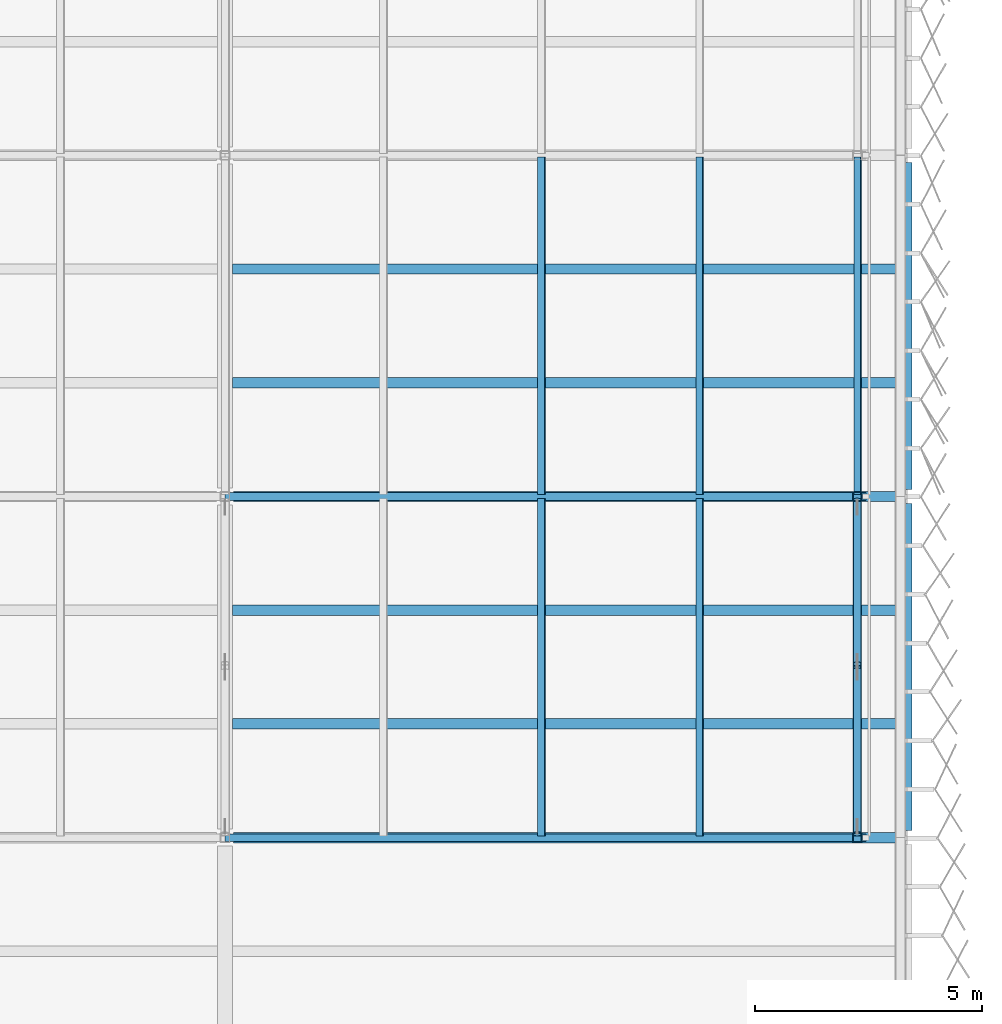
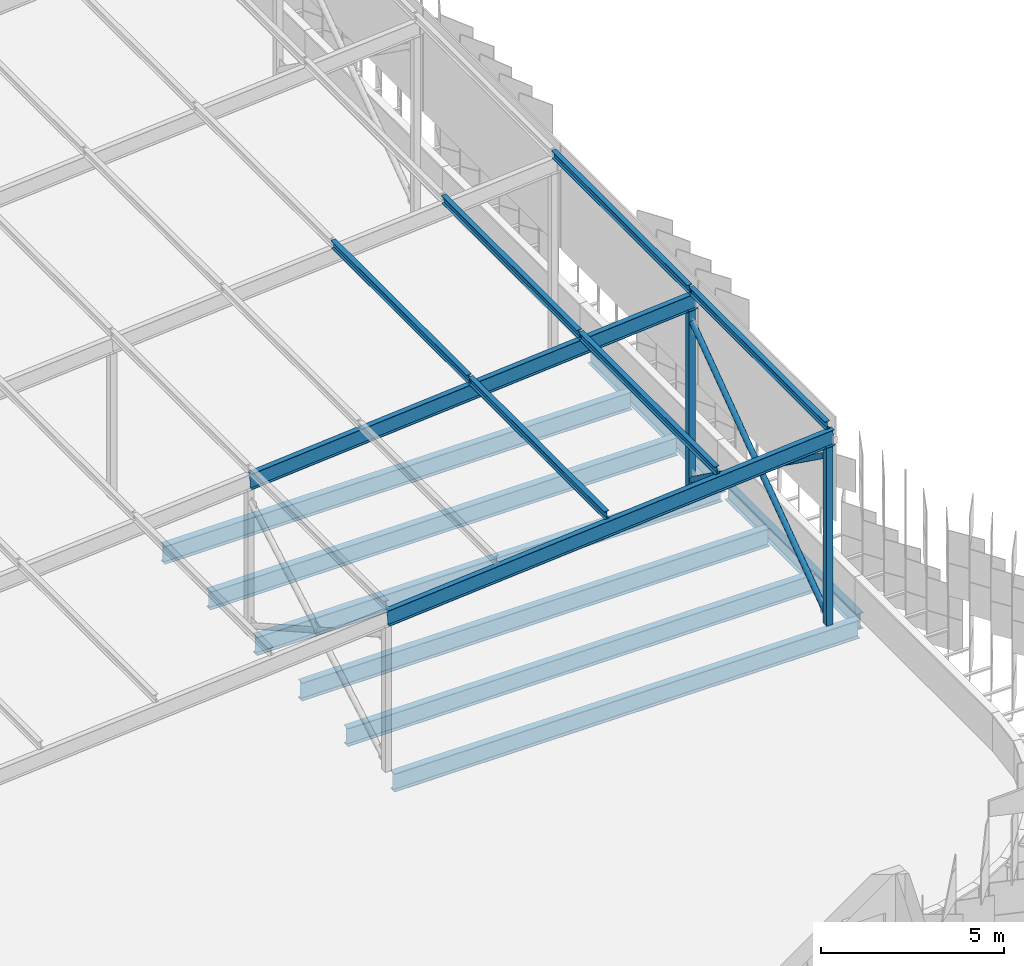
# One storey, part 74 of 483: 13 members, 8 beams.
"""IFC4 building model written with IfcOpenShell, lengths in metres."""

import ifcopenshell
import ifcopenshell.guid

model = None  # the IFC model being written
_history = None  # IfcOwnerHistory: only IFC2X3 demands one
_inside = {}  # id of a spatial element -> (the spatial element, [elements in it])
_under = {}  # id of a project, library or spatial element -> (it, [spatial elements below it])
_declared = {}  # id of a project -> (the project, [libraries it declares])
_typed = {}  # id of a type object -> (the type object, [elements of that type])
_made_of = {}  # id of a material, layer set ... -> (it, [elements and type objects made of it])


def new_model(schema):
    """Start an empty IFC model of exactly this schema.

    Asked for "IFC4X3", IfcOpenShell would pick the latest addendum, in which some entities
    have other attributes; the version numbers below select the first issue.
    IFC2X3 requires an IfcOwnerHistory on every rooted entity: one is made here for all.
    """
    global model, _history
    if schema == "IFC4X3":
        model = ifcopenshell.file(schema_version=(4, 3, 0, 0))
    else:
        model = ifcopenshell.file(schema=schema)
    _inside.clear()
    _under.clear()
    _declared.clear()
    _typed.clear()
    _made_of.clear()
    _history = None
    if model.schema == "IFC2X3":
        org = make("IfcOrganization", Name="unknown")
        user = make(
            "IfcPersonAndOrganization",
            ThePerson=make("IfcPerson", FamilyName="unknown"),
            TheOrganization=org,
        )
        app = make(
            "IfcApplication",
            ApplicationDeveloper=org,
            Version="unknown",
            ApplicationFullName="unknown",
            ApplicationIdentifier="unknown",
        )
        _history = make(
            "IfcOwnerHistory",
            OwningUser=user,
            OwningApplication=app,
            ChangeAction="ADDED",
            CreationDate=0,
        )
    return model


def make(cls, **values):
    """One entity of the class cls with the attributes given. An attribute that is None is left unset."""
    return model.create_entity(
        cls, **{name: value for name, value in values.items() if value is not None}
    )


def rooted(cls, **values):
    """An entity with a GlobalId (a new one), such as an element, a storey or a relation."""
    return make(cls, GlobalId=ifcopenshell.guid.new(), OwnerHistory=_history, **values)


def si_unit(unit_type, name, prefix=None):
    """IfcSIUnit, for example si_unit("LENGTHUNIT", "METRE", prefix="MILLI")."""
    return make("IfcSIUnit", UnitType=unit_type, Prefix=prefix, Name=name)


def assignment(units):
    """IfcUnitAssignment: the units of a project."""
    return None if units is None else make("IfcUnitAssignment", Units=units)


def point(xyz):
    """IfcCartesianPoint."""
    return None if xyz is None else make("IfcCartesianPoint", Coordinates=xyz)


def direction(xyz):
    """IfcDirection."""
    return None if xyz is None else make("IfcDirection", DirectionRatios=xyz)


def frame(location, z_axis=None, x_axis=None):
    """IfcAxis2Placement3D, a coordinate frame: its origin and axes. An axis left out is left unset."""
    return make(
        "IfcAxis2Placement3D",
        Location=point(location),
        Axis=direction(z_axis),
        RefDirection=direction(x_axis),
    )


def frame_2d(location, x_axis=None):
    """IfcAxis2Placement2D, a coordinate frame in the plane: its origin and x axis."""
    return make(
        "IfcAxis2Placement2D", Location=point(location), RefDirection=direction(x_axis)
    )


def origin():
    """The frame at (0, 0, 0) with its axes left unset."""
    return frame((0.0, 0.0, 0.0))


def origin_2d():
    """The frame at (0, 0) in the plane with its x axis left unset."""
    return frame_2d((0.0, 0.0))


def place(relative_to, where):
    """IfcLocalPlacement: puts the frame where relative to a parent placement (None: the world)."""
    return make(
        "IfcLocalPlacement", PlacementRelTo=relative_to, RelativePlacement=where
    )


def context(
    kind, dimensions, precision=None, world=None, true_north=None, identifier=None
):
    """IfcGeometricRepresentationContext, for example the 3D "Model" context."""
    return make(
        "IfcGeometricRepresentationContext",
        ContextIdentifier=identifier,
        ContextType=kind,
        CoordinateSpaceDimension=dimensions,
        Precision=precision,
        WorldCoordinateSystem=world,
        TrueNorth=true_north,
    )


def subcontext(parent, identifier, kind, view, scale=None):
    """IfcGeometricRepresentationSubContext, for example "Body" below "Model"."""
    return make(
        "IfcGeometricRepresentationSubContext",
        ContextIdentifier=identifier,
        ContextType=kind,
        ParentContext=parent,
        TargetScale=scale,
        TargetView=view,
    )


def project(units=None, contexts=None):
    """IfcProject with its units and contexts."""
    return rooted(
        "IfcProject",
        Name="project",
        RepresentationContexts=contexts,
        UnitsInContext=assignment(units),
    )


def spatial(cls, under=None, at=None, **own):
    """A site, building, storey or space (cls), placed at a placement, below another one or the project."""
    s = rooted(cls, ObjectPlacement=at, **own)
    if under is not None:
        _under.setdefault(under.id(), (under, []))[1].append(s)
    return s


def profile(cls, at=None, kind="AREA", **sizes):
    """A parametric profile (cls). Its sizes go by their IFC names, for example OverallWidth=200.0."""
    return make(cls, ProfileType=kind, Position=at, **sizes)


def hollow_rectangle(**sizes):
    """IfcRectangleHollowProfileDef."""
    return profile("IfcRectangleHollowProfileDef", **sizes)


def hollow_circle(**sizes):
    """IfcCircleHollowProfileDef."""
    return profile("IfcCircleHollowProfileDef", **sizes)


def i_section(**sizes):
    """IfcIShapeProfileDef."""
    return profile("IfcIShapeProfileDef", **sizes)


def extrude(swept, where, along, depth):
    """IfcExtrudedAreaSolid: the profile swept, set in the frame where, extruded along a direction by depth."""
    return make(
        "IfcExtrudedAreaSolid",
        SweptArea=swept,
        Position=where,
        ExtrudedDirection=direction(along),
        Depth=depth,
    )


def shape(context_of_items, identifier, shape_type, items):
    """IfcShapeRepresentation: the items that make up one representation, for example the "Body"."""
    return make(
        "IfcShapeRepresentation",
        ContextOfItems=context_of_items,
        RepresentationIdentifier=identifier,
        RepresentationType=shape_type,
        Items=items,
    )


def material(Name=None, Category=None):
    """IfcMaterial."""
    return make("IfcMaterial", Name=Name, Category=Category)


def material_profile(
    of_material, cross_section, Name=None, Category=None, Priority=None
):
    """IfcMaterialProfile: a cross section and its material."""
    return make(
        "IfcMaterialProfile",
        Name=Name,
        Material=of_material,
        Profile=cross_section,
        Priority=Priority,
        Category=Category,
    )


def profile_set(profiles, Name=None, composite=None):
    """IfcMaterialProfileSet."""
    return make(
        "IfcMaterialProfileSet",
        Name=Name,
        MaterialProfiles=profiles,
        CompositeProfile=composite,
    )


def made_of(thing, what):
    """Note that an element or type object is made of a material, layer set ...; save() writes the relation."""
    if what is not None:
        _made_of.setdefault(what.id(), (what, []))[1].append(thing)
    return thing


def type_object(cls, material=None, **own):
    """A type object (cls), such as IfcWallType, which elements share."""
    return made_of(rooted(cls, **own), material)


def element(
    cls,
    number,
    at=None,
    inside=None,
    cuts=None,
    type_object=None,
    material=None,
    context=None,
    identifier="Body",
    shape_type=None,
    held_by="IfcProductDefinitionShape",
    body=None,
    shapes=None,
    **own,
):
    """One element of the class cls, such as IfcWall. Its Tag is "e" and its number.

    at: its placement. inside: the storey or other place that contains it. cuts: it is an
    opening in that element (IfcRelVoidsElement). A single representation is given by context,
    identifier, shape_type and body (its items); several are given by shapes. held_by: the class
    of the entity that holds the representations. save() writes the other relations.
    """
    e = rooted(cls, Tag="e%d" % number, ObjectPlacement=at, **own)
    if body is not None:
        shapes = [shape(context, identifier, shape_type, body)]
    if shapes is not None:
        e.Representation = make(held_by, Representations=shapes)
    if inside is not None:
        _inside.setdefault(inside.id(), (inside, []))[1].append(e)
    if cuts is not None:
        rooted(
            "IfcRelVoidsElement", RelatingBuildingElement=cuts, RelatedOpeningElement=e
        )
    if type_object is not None:
        _typed.setdefault(type_object.id(), (type_object, []))[1].append(e)
    return made_of(e, material)


def aggregate(whole, parts):
    """IfcRelAggregates: a whole, such as a stair, and the parts it consists of."""
    return rooted("IfcRelAggregates", RelatingObject=whole, RelatedObjects=parts)


def save(model, path):
    """Write the relations noted so far, then the file.

    IfcRelAggregates (storeys below a building ...), IfcRelContainedInSpatialStructure (elements
    in a storey), IfcRelDefinesByType, IfcRelAssociatesMaterial and IfcRelDeclares: one each for
    every whole, place, type object, material and project.
    """
    for whole, parts in _under.values():
        aggregate(whole, parts)
    for where, things in _inside.values():
        rooted(
            "IfcRelContainedInSpatialStructure",
            RelatedElements=things,
            RelatingStructure=where,
        )
    for kind, things in _typed.values():
        rooted("IfcRelDefinesByType", RelatedObjects=things, RelatingType=kind)
    for what, things in _made_of.values():
        rooted("IfcRelAssociatesMaterial", RelatedObjects=things, RelatingMaterial=what)
    for by, libraries in _declared.values():
        rooted("IfcRelDeclares", RelatingContext=by, RelatedDefinitions=libraries)
    model.write(path)


model = new_model("IFC4")

# Units and contexts
model_context = context("Model", 3, precision=1e-05, world=origin(), true_north=direction((0.0, 1.0)))
body_context = subcontext(model_context, "Body", "Model", "MODEL_VIEW")
ifc_project = project(units=[si_unit("LENGTHUNIT", "METRE"), si_unit("AREAUNIT", "SQUARE_METRE"), si_unit("VOLUMEUNIT", "CUBIC_METRE"), si_unit("PLANEANGLEUNIT", "RADIAN"), si_unit("MASSUNIT", "GRAM", prefix="KILO")], contexts=[model_context])

# Site, building, storey
site_placement = place(None, origin())
site = spatial("IfcSite", under=ifc_project, at=site_placement, CompositionType="ELEMENT")
building_placement = place(site_placement, origin())
building = spatial("IfcBuilding", under=site, at=building_placement, Name="Parallax Yard Mobility Hub", CompositionType="ELEMENT")
storey_placement = place(building_placement, frame((0.0, 0.0, 13.199951171875)))
storey = spatial("IfcBuildingStorey", under=building, at=storey_placement, Name="L04", CompositionType="ELEMENT", Elevation=13.199951171875)

# Members
ifc_material_1 = material(Name="Steel ASTM A500 Gr C", Category="steel")
ifc_material_profile_1 = material_profile(ifc_material_1, hollow_circle(Radius=0.0888671875, WallThickness=0.0078125, at=origin_2d()), Name="HSS177.8x7.9")
ifc_profile_set_1 = profile_set([ifc_material_profile_1], Name="Steel ASTM A500 Gr C")
member_type_1 = type_object("IfcMemberType", Name="Canopy brace HSS177.8x7.9", PredefinedType="BRACE", material=ifc_profile_set_1)
member_placement = place(storey_placement, frame((223.89990234375, 37.586669921875, 0.300048828125), z_axis=(0.0, 0.812229364316, 0.583338203569), x_axis=(-1.0, 0.0, 0.0)))
element("IfcMember", 1, at=member_placement, inside=storey, type_object=member_type_1, Name="Canopy X brace RC bay E-A bay 1 diagonal A", PredefinedType="BRACE", context=body_context, shape_type="SweptSolid", body=[
    extrude(hollow_circle(Radius=0.0888671875, WallThickness=0.0078125, at=origin_2d()), origin(), (0.0, 0.0, 1.0), 9.0205078125),
])
for number, where, z_axis, x_axis, name in (
    (2, (223.89990234375, 44.913330078125, 0.300048828125), (0.0, -0.812232602015, 0.58333369543), (1.0, 0.0, 0.0), "Canopy X brace RC bay E-A bay 1 diagonal B part 1"),
    (3, (223.89990234375, 41.181884765625, 2.97998046875), (0.0, -0.812232602015, 0.58333369543), (1.0, 0.0, 0.0), "Canopy X brace RC bay E-A bay 1 diagonal B part 2"),
):
    element("IfcMember", number, at=place(storey_placement, frame(where, z_axis=z_axis, x_axis=x_axis)), inside=storey, type_object=member_type_1, Name=name, PredefinedType="BRACE", context=body_context, shape_type="SweptSolid", body=[
        extrude(hollow_circle(Radius=0.0888671875, WallThickness=0.0078125, at=origin_2d()), origin(), (0.0, 0.0, 1.0), 4.42626953125),
    ])
ifc_material_profile_2 = material_profile(ifc_material_1, hollow_rectangle(XDim=0.203125, YDim=0.203125, WallThickness=0.009521484375, at=origin_2d()), Name="HSS203x203x9.5")
ifc_profile_set_2 = profile_set([ifc_material_profile_2], Name="Steel ASTM A500 Gr C")
member_type_2 = type_object("IfcMemberType", Name="Canopy post HSS203x203x9.5", PredefinedType="POST", material=ifc_profile_set_2)
for number, where, z_axis, x_axis, name in (
    (4, (223.89990234375, 37.5, 0.0), (0.0, 0.0, 1.0), (1.0, 0.0, 0.0), "Canopy post RC/E-A1"),
    (5, (223.89990234375, 45.0, 0.0), (0.0, 0.0, 1.0), (1.0, 0.0, 0.0), "Canopy post RC/E-A2"),
):
    element("IfcMember", number, at=place(storey_placement, frame(where, z_axis=z_axis, x_axis=x_axis)), inside=storey, type_object=member_type_2, Name=name, PredefinedType="POST", context=body_context, shape_type="SweptSolid", body=[
        extrude(hollow_rectangle(XDim=0.203125, YDim=0.203125, WallThickness=0.009521484375, at=origin_2d()), origin(), (0.0, 0.0, 1.0), 5.922119140625),
    ])
ifc_material_2 = material(Name="Steel ASTM A992", Category="steel")
ifc_material_profile_3 = material_profile(ifc_material_2, i_section(OverallWidth=0.14794921875, OverallDepth=0.26611328125, WebThickness=0.007568359375, FlangeThickness=0.012939453125, at=origin_2d()), Name="W250x45")
ifc_profile_set_3 = profile_set([ifc_material_profile_3], Name="Steel ASTM A992")
member_type_3 = type_object("IfcMemberType", Name="Canopy purlin W250x45", PredefinedType="PURLIN", material=ifc_profile_set_3)
for number, where, z_axis, x_axis, name in (
    (6, (216.960693359375, 37.5400390625, 6.01806640625), (0.0, 1.0, 0.0), (-0.996815308126, 0.0, -0.079744852409), "Canopy purlin sector E-A bay 1 line 7"),
    (7, (220.435546875, 37.5400390625, 6.296142578125), (0.0, 1.0, 0.0), (-0.996815308126, 0.0, -0.079744852409), "Canopy purlin sector E-A bay 1 line 8"),
    (8, (223.91064453125, 37.5400390625, 6.573974609375), (0.0, 1.0, 0.0), (-0.996815308126, 0.0, -0.079744852409), "Canopy purlin sector E-A bay 1 line 9"),
    (9, (216.960693359375, 45.0400390625, 6.01806640625), (0.0, 1.0, 0.0), (-0.996815308126, 0.0, -0.079744852409), "Canopy purlin sector E-A bay 2 line 7"),
    (10, (220.435546875, 45.0400390625, 6.296142578125), (0.0, 1.0, 0.0), (-0.996815308126, 0.0, -0.079744852409), "Canopy purlin sector E-A bay 2 line 8"),
    (11, (223.91064453125, 45.0400390625, 6.573974609375), (0.0, 1.0, 0.0), (-0.996815308126, 0.0, -0.079744852409), "Canopy purlin sector E-A bay 2 line 9"),
):
    element("IfcMember", number, at=place(storey_placement, frame(where, z_axis=z_axis, x_axis=x_axis)), inside=storey, type_object=member_type_3, Name=name, PredefinedType="PURLIN", context=body_context, shape_type="SweptSolid", body=[
        extrude(i_section(OverallWidth=0.14794921875, OverallDepth=0.26611328125, WebThickness=0.007568359375, FlangeThickness=0.012939453125, at=origin_2d()), origin(), (0.0, 0.0, 1.0), 7.419921875),
    ])
ifc_material_profile_4 = material_profile(ifc_material_2, i_section(OverallWidth=0.166015625, OverallDepth=0.529052734375, WebThickness=0.009765625, FlangeThickness=0.013671875, at=origin_2d()), Name="W530x74")
ifc_profile_set_4 = profile_set([ifc_material_profile_4], Name="Steel ASTM A992")
member_type_4 = type_object("IfcMemberType", Name="Canopy rafter W530x74", PredefinedType="RAFTER", material=ifc_profile_set_4)
for number, where, z_axis, x_axis, name in (
    (12, (210.02099609375, 37.5, 5.067138671875), (0.996815168385, 0.0, 0.079746599163), (0.0, 1.0, 0.0), "Canopy rafter E-A1 outer span"),
    (13, (210.02099609375, 45.0, 5.067138671875), (0.996815168385, 0.0, 0.079746599163), (0.0, 1.0, 0.0), "Canopy rafter E-A2 outer span"),
):
    element("IfcMember", number, at=place(storey_placement, frame(where, z_axis=z_axis, x_axis=x_axis)), inside=storey, type_object=member_type_4, Name=name, PredefinedType="RAFTER", context=body_context, shape_type="SweptSolid", body=[
        extrude(i_section(OverallWidth=0.166015625, OverallDepth=0.529052734375, WebThickness=0.009765625, FlangeThickness=0.013671875, at=origin_2d()), origin(), (0.0, 0.0, 1.0), 14.094970703125),
    ])

# Beams
ifc_material_profile_5 = material_profile(ifc_material_2, i_section(OverallWidth=0.208984375, OverallDepth=0.532958984375, WebThickness=0.01025390625, FlangeThickness=0.015625, FilletRadius=0.0126953125, at=origin_2d()), Name="W530x92")
ifc_profile_set_5 = profile_set([ifc_material_profile_5], Name="Steel ASTM A992")
beam_type_1 = type_object("IfcBeamType", Name="W530x92 edge beam", PredefinedType="SPANDREL", material=ifc_profile_set_5)
for number, where, z_axis, x_axis, name in (
    (14, (225.0, 37.652587890625, -0.406494140625), (0.0, 1.0, 0.0), (-1.0, 0.0, 0.0), "Edge beam SB5 level L04, line 31 of ramped parking decks, span 2"),
    (15, (225.0, 45.152587890625, -0.406494140625), (0.0, 1.0, 0.0), (-1.0, 0.0, 0.0), "Edge beam SB5 level L04, line 31 of ramped parking decks, span 3"),
):
    element("IfcBeam", number, at=place(storey_placement, frame(where, z_axis=z_axis, x_axis=x_axis)), inside=storey, type_object=beam_type_1, Name=name, PredefinedType="SPANDREL", context=body_context, shape_type="SweptSolid", body=[
        extrude(i_section(OverallWidth=0.208984375, OverallDepth=0.532958984375, WebThickness=0.01025390625, FlangeThickness=0.015625, FilletRadius=0.0126953125, at=origin_2d()), origin(), (0.0, 0.0, 1.0), 7.19482421875),
    ])
ifc_material_profile_6 = material_profile(ifc_material_2, i_section(OverallWidth=0.22802734375, OverallDepth=0.60205078125, WebThickness=0.010498046875, FlangeThickness=0.014892578125, FilletRadius=0.0126953125, at=origin_2d()), Name="W610x101")
ifc_profile_set_6 = profile_set([ifc_material_profile_6], Name="Steel ASTM A992")
beam_type_2 = type_object("IfcBeamType", Name="W610x101 secondary beam", PredefinedType="JOIST", material=ifc_profile_set_6)
for number, where, z_axis, x_axis, name in (
    (16, (210.16259765625, 40.0, -0.44091796875), (1.0, 0.0, 0.0), (0.0, 1.0, 0.0), "Secondary beam B3 level L04, 2.5 m north of line F of ramped parking decks, span 2"),
    (17, (210.16259765625, 47.5, -0.44091796875), (1.0, 0.0, 0.0), (0.0, 1.0, 0.0), "Secondary beam B3 level L04, 2.5 m north of line G of ramped parking decks, span 2"),
    (18, (210.16259765625, 42.5, -0.44091796875), (1.0, 0.0, 0.0), (0.0, 1.0, 0.0), "Secondary beam B3 level L04, 5 m north of line F of ramped parking decks, span 2"),
    (19, (210.16259765625, 50.0, -0.44091796875), (1.0, 0.0, 0.0), (0.0, 1.0, 0.0), "Secondary beam B3 level L04, 5 m north of line G of ramped parking decks, span 2"),
):
    element("IfcBeam", number, at=place(storey_placement, frame(where, z_axis=z_axis, x_axis=x_axis)), inside=storey, type_object=beam_type_2, Name=name, PredefinedType="JOIST", context=body_context, shape_type="SweptSolid", body=[
        extrude(i_section(OverallWidth=0.22802734375, OverallDepth=0.60205078125, WebThickness=0.010498046875, FlangeThickness=0.014892578125, FilletRadius=0.0126953125, at=origin_2d()), origin(), (0.0, 0.0, 1.0), 14.73291015625),
    ])
ifc_material_profile_7 = material_profile(ifc_material_2, i_section(OverallWidth=0.22900390625, OverallDepth=0.612060546875, WebThickness=0.011962890625, FlangeThickness=0.01953125, FilletRadius=0.0126953125, at=origin_2d()), Name="W610x125")
ifc_profile_set_7 = profile_set([ifc_material_profile_7], Name="Steel ASTM A992")
beam_type_3 = type_object("IfcBeamType", Name="W610x125 girder", PredefinedType="BEAM", material=ifc_profile_set_7)
for number, where, z_axis, x_axis, name in (
    (20, (210.18408203125, 37.5, -0.446044921875), (1.0, 0.0, 0.0), (0.0, 1.0, 0.0), "Girder G3 level L04, line F of ramped parking decks, span 2"),
    (21, (210.18408203125, 45.0, -0.446044921875), (1.0, 0.0, 0.0), (0.0, 1.0, 0.0), "Girder G3 level L04, line G of ramped parking decks, span 2"),
):
    element("IfcBeam", number, at=place(storey_placement, frame(where, z_axis=z_axis, x_axis=x_axis)), inside=storey, type_object=beam_type_3, Name=name, PredefinedType="BEAM", context=body_context, shape_type="SweptSolid", body=[
        extrude(i_section(OverallWidth=0.22900390625, OverallDepth=0.612060546875, WebThickness=0.011962890625, FlangeThickness=0.01953125, FilletRadius=0.0126953125, at=origin_2d()), origin(), (0.0, 0.0, 1.0), 14.662353515625),
    ])

save(model, "model.ifc")
